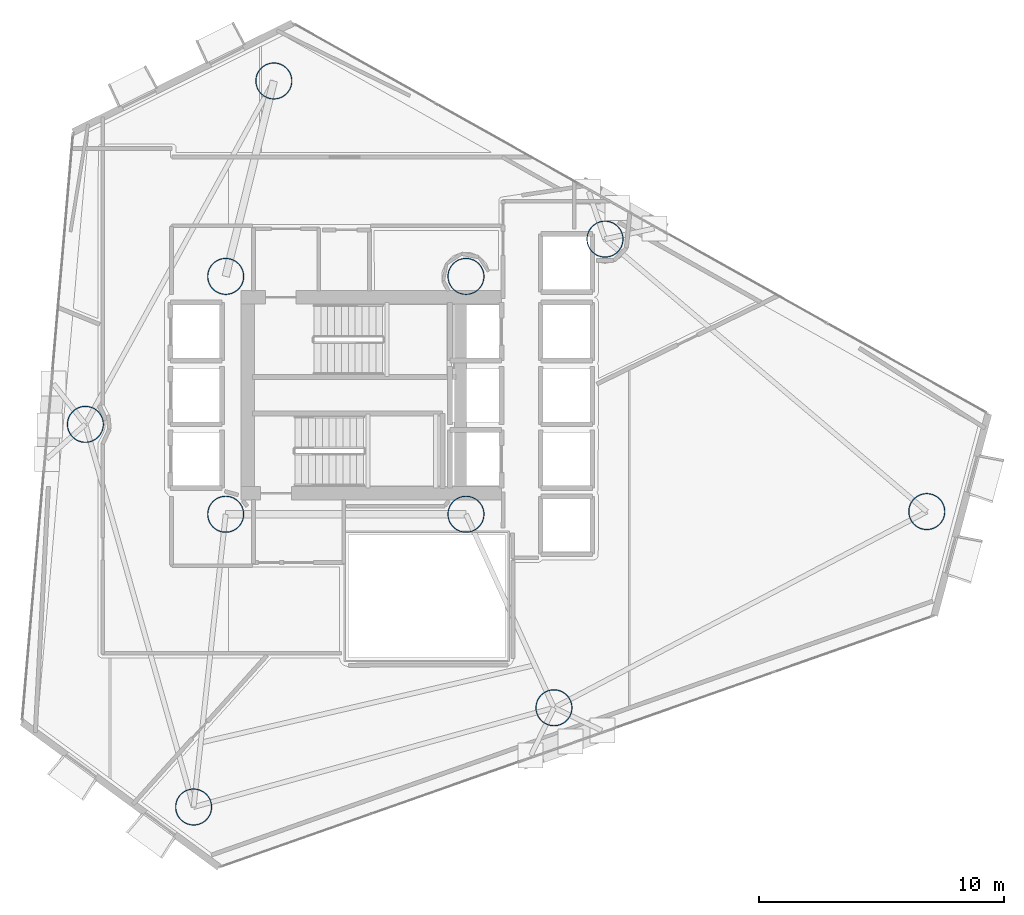
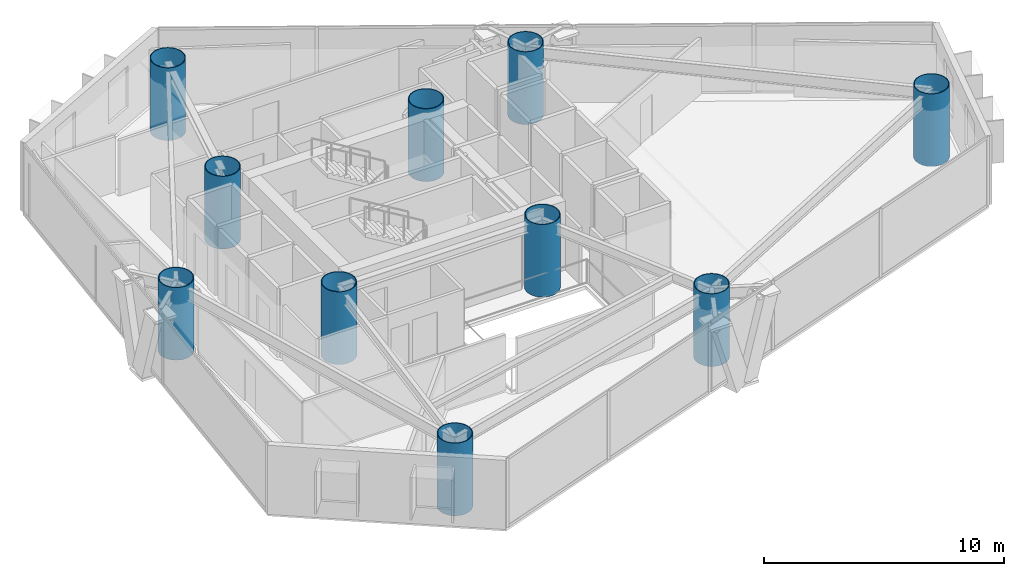
# One storey, part 1 of 19: 10 columns.
"""IFC4 building model written with IfcOpenShell, lengths in metres."""

from ifc_helpers import new_model, si_unit, direction, frame, origin, origin_2d, place, context, subcontext, project, spatial, hollow_circle, extrude, material, material_profile, profile_set, type_object, element, save


model = new_model("IFC4")

# Units and contexts
model_context = context("Model", 3, precision=1e-05, world=origin(), true_north=direction((0.0, 1.0)))
body_context = subcontext(model_context, "Body", "Model", "MODEL_VIEW")
ifc_project = project(units=[si_unit("LENGTHUNIT", "METRE"), si_unit("AREAUNIT", "SQUARE_METRE"), si_unit("VOLUMEUNIT", "CUBIC_METRE"), si_unit("PLANEANGLEUNIT", "RADIAN"), si_unit("MASSUNIT", "GRAM", prefix="KILO")], contexts=[model_context])

# Site, building, storey
site_placement = place(None, origin())
site = spatial("IfcSite", under=ifc_project, at=site_placement, CompositionType="ELEMENT")
building_placement = place(site_placement, origin())
building = spatial("IfcBuilding", under=site, at=building_placement, Name="Qianvela Tower", CompositionType="ELEMENT")
storey_placement = place(building_placement, frame((0.0, 0.0, 123.699951171875)))
storey = spatial("IfcBuildingStorey", under=building, at=storey_placement, Name="L31", CompositionType="ELEMENT", Elevation=123.699951171875)

# Columns
ifc_material = material(Name="Steel Q420GJC", Category="steel")
ifc_material_profile = material_profile(ifc_material, hollow_circle(Radius=0.75, WallThickness=0.035888671875, at=origin_2d()), Name="CFT-1500x36")
ifc_profile_set = profile_set([ifc_material_profile], Name="Steel Q420GJC")
column_type = type_object("IfcColumnType", Name="COL-CFT-1500x36", PredefinedType="COLUMN", material=ifc_profile_set)
for number, where, z_axis, x_axis, name in (
    (1, (28.60009765625, 33.550048828125, 0.0), (0.0, 0.0, 1.0), (1.0, 0.0, 0.0), "L31 Core Corner Mega-Column CC-NW"),
    (2, (28.60009765625, 23.85009765625, 0.0), (0.0, 0.0, 1.0), (1.0, 0.0, 0.0), "L31 Core Corner Mega-Column CC-SW"),
    (3, (38.39990234375, 33.550048828125, 0.0), (0.0, 0.0, 1.0), (1.0, 0.0, 0.0), "L31 Core Corner Mega-Column CC-NE"),
    (4, (38.39990234375, 23.85009765625, 0.0), (0.0, 0.0, 1.0), (1.0, 0.0, 0.0), "L31 Core Corner Mega-Column CC-SE"),
    (5, (57.194091796875, 23.9580078125, 0.0), (0.0, 0.0, 1.0), (1.0, 0.0, 0.0), "L31 Zone Z3 CFT Mega-Column C1"),
    (6, (44.071044921875, 35.070068359375, 0.0), (0.0, 0.0, 1.0), (1.0, 0.0, 0.0), "L31 Zone Z3 CFT Mega-Column C2"),
    (7, (30.56396484375, 41.52099609375, 0.0), (0.0, 0.0, 1.0), (1.0, 0.0, 0.0), "L31 Zone Z3 CFT Mega-Column C3"),
    (8, (22.8779296875, 27.51611328125, 0.0), (0.0, 0.0, 1.0), (1.0, 0.0, 0.0), "L31 Zone Z3 CFT Mega-Column C4"),
    (9, (27.2919921875, 11.908935546875, 0.0), (0.0, 0.0, 1.0), (1.0, 0.0, 0.0), "L31 Zone Z3 CFT Mega-Column C5"),
    (10, (41.988037109375, 15.95703125, 0.0), (0.0, 0.0, 1.0), (1.0, 0.0, 0.0), "L31 Zone Z3 CFT Mega-Column C6"),
):
    element("IfcColumn", number, at=place(storey_placement, frame(where, z_axis=z_axis, x_axis=x_axis)), inside=storey, type_object=column_type, Name=name, PredefinedType="COLUMN", context=body_context, shape_type="SweptSolid", body=[
        extrude(hollow_circle(Radius=0.75, WallThickness=0.035888671875, at=origin_2d()), origin(), (0.0, 0.0, 1.0), 3.699951171875),
    ])

save(model, "model.ifc")
